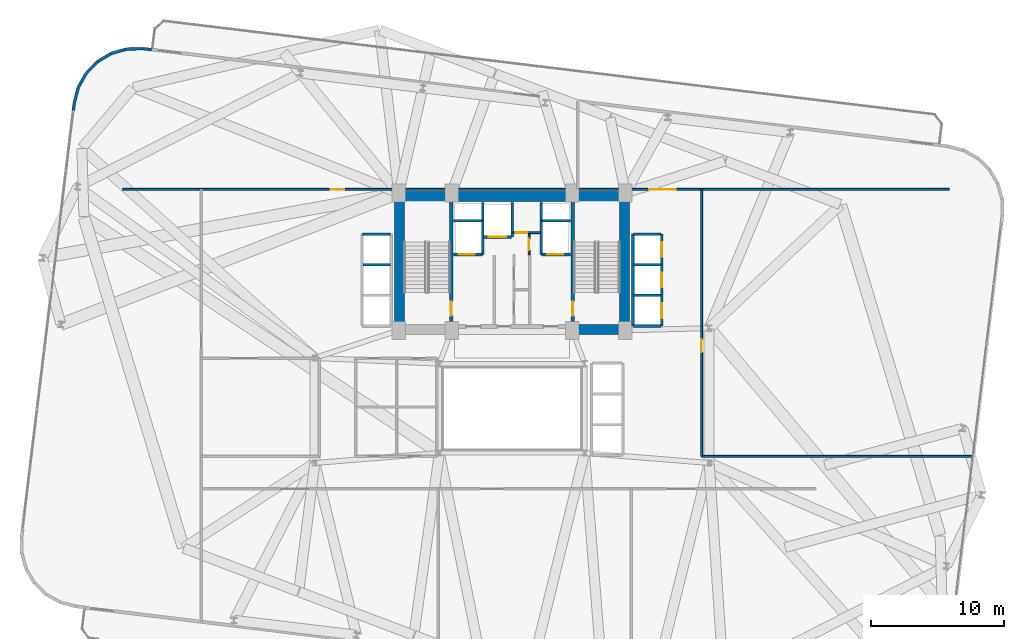
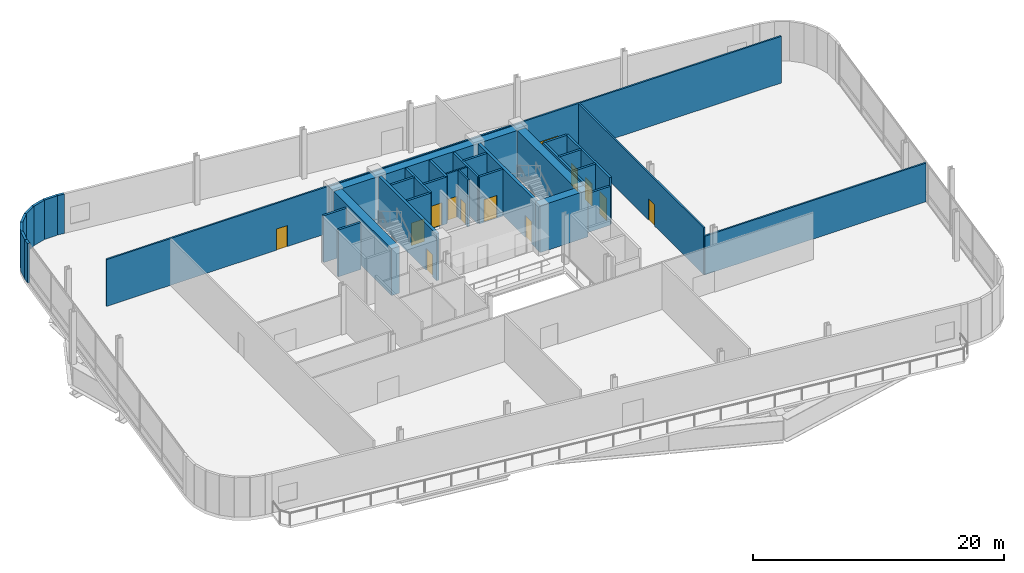
# One storey, part 17 of 22: 35 walls, 13 doors, 13 openings.
"""IFC4 building model written with IfcOpenShell, lengths in metres."""

from ifc_helpers import new_model, si_unit, direction, frame, frame_2d, origin, place, context, subcontext, project, spatial, rectangle, extrude, material, layer, layer_set, type_object, element, fill, save


model = new_model("IFC4")

# Units and contexts
model_context = context("Model", 3, precision=1e-05, world=origin(), true_north=direction((0.0, 1.0)))
body_context = subcontext(model_context, "Body", "Model", "MODEL_VIEW")
ifc_project = project(units=[si_unit("LENGTHUNIT", "METRE"), si_unit("AREAUNIT", "SQUARE_METRE"), si_unit("VOLUMEUNIT", "CUBIC_METRE"), si_unit("PLANEANGLEUNIT", "RADIAN"), si_unit("MASSUNIT", "GRAM", prefix="KILO")], contexts=[model_context])

# Site, building, storey
site_placement = place(None, origin())
site = spatial("IfcSite", under=ifc_project, at=site_placement, CompositionType="ELEMENT")
building_placement = place(site_placement, origin())
building = spatial("IfcBuilding", under=site, at=building_placement, Name="Varnelok Gate Tower", CompositionType="ELEMENT")
storey_placement = place(building_placement, frame((0.0, 0.0, 116.89990234375)))
storey = spatial("IfcBuildingStorey", under=building, at=storey_placement, Name="L29", CompositionType="ELEMENT", Elevation=116.89990234375)

# Walls
ifc_material_1 = material(Name="Concrete C45/55", Category="concrete")
ifc_layer_1 = layer(ifc_material_1, 0.219970703125)
ifc_layer_set_1 = layer_set([ifc_layer_1], Name="Concrete C45/55")
wall_type_1 = type_object("IfcWallType", Name="EW-BALC-220", PredefinedType="SOLIDWALL", material=ifc_layer_set_1)
wall_1_placement = place(storey_placement, frame((12.153564453125, 49.81298828125, 0.0), z_axis=(0.0, 0.0, 1.0), x_axis=(-0.992727811402, 0.120380615004, 0.0)))
element("IfcWall", 1, at=wall_1_placement, inside=storey, type_object=wall_type_1, Name="L29 Perimeter Facade Closure Wall 24", PredefinedType="SOLIDWALL", context=body_context, shape_type="SweptSolid", body=[
    extrude(rectangle(XDim=0.59228515625, YDim=0.219970703125, at=frame_2d((0.296142578125, 0.0))), origin(), (0.0, 0.0, 1.0), 3.830078125),
])
wall_2_placement = place(storey_placement, frame((11.540771484375, 49.884033203125, 0.0), z_axis=(0.0, 0.0, 1.0), x_axis=(-0.999946583274, -0.010335888883, 0.0)))
element("IfcWall", 2, at=wall_2_placement, inside=storey, type_object=wall_type_1, Name="L29 Perimeter Facade Closure Wall 25", PredefinedType="SOLIDWALL", context=body_context, shape_type="SweptSolid", body=[
    extrude(rectangle(XDim=1.20458984375, YDim=0.219970703125, at=frame_2d((0.602294921875, 0.0))), origin(), (0.0, 0.0, 1.0), 3.830078125),
])
for number, where, z_axis, x_axis, name in (
    (3, (10.312255859375, 49.864990234375, 0.0), (0.0, 0.0, 1.0), (-0.963207358968, -0.268759341475, 0.0), "L29 Perimeter Facade Closure Wall 26"),
    (4, (9.13818359375, 49.53076171875, 0.0), (0.0, 0.0, 1.0), (-0.860788363015, -0.508963057695, 0.0), "L29 Perimeter Facade Closure Wall 27"),
):
    element("IfcWall", number, at=place(storey_placement, frame(where, z_axis=z_axis, x_axis=x_axis)), inside=storey, type_object=wall_type_1, Name=name, PredefinedType="SOLIDWALL", context=body_context, shape_type="SweptSolid", body=[
        extrude(rectangle(XDim=1.1962890625, YDim=0.219970703125, at=frame_2d((0.59814453125, 0.0))), origin(), (0.0, 0.0, 1.0), 3.830078125),
    ])
wall_3_placement = place(storey_placement, frame((8.0908203125, 48.904052734375, 0.0), z_axis=(0.0, 0.0, 1.0), x_axis=(-0.699826580501, -0.714312786687, 0.0)))
element("IfcWall", 5, at=wall_3_placement, inside=storey, type_object=wall_type_1, Name="L29 Perimeter Facade Closure Wall 28", PredefinedType="SOLIDWALL", context=body_context, shape_type="SweptSolid", body=[
    extrude(rectangle(XDim=1.196533203125, YDim=0.219970703125, at=frame_2d((0.59814453125, 0.0))), origin(), (0.0, 0.0, 1.0), 3.830078125),
])
wall_4_placement = place(storey_placement, frame((7.2412109375, 48.027587890625, 0.0), z_axis=(0.0, 0.0, 1.0), x_axis=(-0.490987721043, -0.871166492575, 0.0)))
element("IfcWall", 6, at=wall_4_placement, inside=storey, type_object=wall_type_1, Name="L29 Perimeter Facade Closure Wall 29", PredefinedType="SOLIDWALL", context=body_context, shape_type="SweptSolid", body=[
    extrude(rectangle(XDim=1.1962890625, YDim=0.219970703125, at=frame_2d((0.59814453125, 0.0))), origin(), (0.0, 0.0, 1.0), 3.830078125),
])
wall_5_placement = place(storey_placement, frame((6.6474609375, 46.961181640625, 0.0), z_axis=(0.0, 0.0, 1.0), x_axis=(-0.248921525881, -0.968523656889, 0.0)))
element("IfcWall", 7, at=wall_5_placement, inside=storey, type_object=wall_type_1, Name="L29 Perimeter Facade Closure Wall 30", PredefinedType="SOLIDWALL", context=body_context, shape_type="SweptSolid", body=[
    extrude(rectangle(XDim=1.204345703125, YDim=0.219970703125, at=frame_2d((0.60205078125, 0.0))), origin(), (0.0, 0.0, 1.0), 3.830078125),
])
wall_6_placement = place(storey_placement, frame((6.3447265625, 45.769775390625, 0.0), z_axis=(0.0, 0.0, 1.0), x_axis=(-0.120596739231, -0.992701579775, 0.0)))
element("IfcWall", 8, at=wall_6_placement, inside=storey, type_object=wall_type_1, Name="L29 Perimeter Facade Closure Wall 31", PredefinedType="SOLIDWALL", context=body_context, shape_type="SweptSolid", body=[
    extrude(rectangle(XDim=0.576904296875, YDim=0.219970703125, at=frame_2d((0.28857421875, 0.0))), origin(), (0.0, 0.0, 1.0), 3.830078125),
])

# Wall, opening, door
ifc_material_2 = material(Name="Gypsum Plasterboard Acoustic Partition", Category="gypsum")
ifc_layer_2 = layer(ifc_material_2, 0.14990234375)
ifc_layer_set_2 = layer_set([ifc_layer_2], Name="Gypsum Plasterboard Acoustic Partition")
wall_type_2 = type_object("IfcWallType", Name="PW-PART-150", PredefinedType="PARTITIONING", material=ifc_layer_set_2)
wall_7_placement = place(storey_placement, frame((53.419921875, 19.300048828125, 0.0), z_axis=(0.0, 0.0, 1.0), x_axis=(0.0, 1.0, 0.0)))
wall_7 = element("IfcWall", 9, at=wall_7_placement, inside=storey, type_object=wall_type_2, Name="Interior Partition", PredefinedType="PARTITIONING", context=body_context, shape_type="SweptSolid", body=[
    extrude(rectangle(XDim=20.02001953125, YDim=0.14990234375, at=frame_2d((10.010009765625, 0.0))), origin(), (0.0, 0.0, 1.0), 4.550048828125),
])
opening_1_placement = place(wall_7_placement, frame((7.800048828125, 0.0, 0.0)))
opening_1 = element("IfcOpeningElement", 10, at=opening_1_placement, cuts=wall_7, Name="Opening D-I1", PredefinedType="OPENING", context=body_context, shape_type="SweptSolid", body=[
    extrude(rectangle(XDim=1.0, YDim=2.050048828125, at=frame_2d((0.5, 1.02490234375))), frame((0.0, 0.0849609375, 0.0), z_axis=(0.0, -1.0, 0.0), x_axis=(1.0, 0.0, 0.0)), (0.0, 0.0, 1.0), 0.169921875),
])
ifc_material_3 = material(Name="Engineered Hardwood Timber", Category="wood")
door_type_1 = type_object("IfcDoorType", Name="DR-INT-1000", OperationType="NOTDEFINED", PredefinedType="DOOR", material=ifc_material_3)
door_1_placement = place(opening_1_placement, origin())
door_1 = element("IfcDoor", 11, at=door_1_placement, inside=storey, type_object=door_type_1, Name="L29 Business Center Door", OperationType="SINGLE_SWING_RIGHT", OverallHeight=2.050048828125, OverallWidth=1.0, PredefinedType="DOOR", context=body_context, shape_type="SweptSolid", body=[
    extrude(rectangle(XDim=1.0, YDim=2.050048828125, at=frame_2d((0.5, 1.02490234375))), frame((0.0, 0.02490234375, 0.0), z_axis=(0.0, -1.0, 0.0), x_axis=(1.0, 0.0, 0.0)), (0.0, 0.0, 1.0), 0.050048828125),
])
fill(opening_1, door_1)

# Wall
wall_8_placement = place(storey_placement, frame((53.419921875, 19.300048828125, 0.0), z_axis=(0.0, 0.0, 1.0), x_axis=(1.0, 0.0, 0.0)))
element("IfcWall", 12, at=wall_8_placement, inside=storey, type_object=wall_type_2, Name="Interior Partition", PredefinedType="PARTITIONING", context=body_context, shape_type="SweptSolid", body=[
    extrude(rectangle(XDim=20.329345703125, YDim=0.14990234375, at=frame_2d((10.16455078125, 0.0))), origin(), (0.0, 0.0, 1.0), 3.76220703125),
])

# Wall, openings, doors
wall_9_placement = place(storey_placement, frame((10.0, 39.320068359375, 0.0), z_axis=(0.0, 0.0, 1.0), x_axis=(1.0, 0.0, 0.0)))
wall_9 = element("IfcWall", 13, at=wall_9_placement, inside=storey, type_object=wall_type_2, Name="Interior Partition", PredefinedType="PARTITIONING", context=body_context, shape_type="SweptSolid", body=[
    extrude(rectangle(XDim=62.0, YDim=0.14990234375, at=frame_2d((31.0, 0.0))), origin(), (0.0, 0.0, 1.0), 4.550048828125),
])
opening_2_placement = place(wall_9_placement, frame((15.60009765625, 0.0, 0.0)))
opening_2 = element("IfcOpeningElement", 14, at=opening_2_placement, cuts=wall_9, Name="Opening D-I1", PredefinedType="OPENING", context=body_context, shape_type="SweptSolid", body=[
    extrude(rectangle(XDim=1.0, YDim=2.050048828125, at=frame_2d((0.5, 1.02490234375))), frame((0.0, 0.0849609375, 0.0), z_axis=(0.0, -1.0, 0.0), x_axis=(1.0, 0.0, 0.0)), (0.0, 0.0, 1.0), 0.169921875),
])
opening_3_placement = place(wall_9_placement, frame((39.5, 0.0, 0.0)))
opening_3 = element("IfcOpeningElement", 15, at=opening_3_placement, cuts=wall_9, Name="Opening D-BL", PredefinedType="OPENING", context=body_context, shape_type="SweptSolid", body=[
    extrude(rectangle(XDim=2.0, YDim=2.050048828125, at=frame_2d((1.0, 1.02490234375))), frame((0.0, 0.0849609375, 0.0), z_axis=(0.0, -1.0, 0.0), x_axis=(1.0, 0.0, 0.0)), (0.0, 0.0, 1.0), 0.169921875),
])
door_type_2 = type_object("IfcDoorType", Name="DR-BALL-2000", OperationType="DOUBLE_DOOR_SINGLE_SWING", PredefinedType="DOOR", material=ifc_material_3)
door_2_placement = place(opening_3_placement, origin())
door_2 = element("IfcDoor", 16, at=door_2_placement, inside=storey, type_object=door_type_2, Name="L29 Exhibition Gallery Door", OperationType="DOUBLE_DOOR_SINGLE_SWING", OverallHeight=2.050048828125, OverallWidth=2.0, PredefinedType="DOOR", context=body_context, shape_type="SweptSolid", body=[
    extrude(rectangle(XDim=2.0, YDim=2.050048828125, at=frame_2d((1.0, 1.02490234375))), frame((0.0, 0.02490234375, 0.0), z_axis=(0.0, -1.0, 0.0), x_axis=(1.0, 0.0, 0.0)), (0.0, 0.0, 1.0), 0.050048828125),
])
fill(opening_3, door_2)
door_3_placement = place(opening_2_placement, origin())
door_3 = element("IfcDoor", 17, at=door_3_placement, inside=storey, type_object=door_type_1, Name="L29 Sky Library Door", OperationType="SINGLE_SWING_LEFT", OverallHeight=2.050048828125, OverallWidth=1.0, PredefinedType="DOOR", context=body_context, shape_type="SweptSolid", body=[
    extrude(rectangle(XDim=1.0, YDim=2.050048828125, at=frame_2d((0.5, 1.02490234375))), frame((0.0, 0.02490234375, 0.0), z_axis=(0.0, -1.0, 0.0), x_axis=(1.0, 0.0, 0.0)), (0.0, 0.0, 1.0), 0.050048828125),
])
fill(opening_2, door_3)

# Wall, opening, door
wall_10_placement = place(storey_placement, frame((39.300048828125, 36.080078125, 0.0), z_axis=(0.0, 0.0, 1.0), x_axis=(1.0, 0.0, 0.0)))
wall_10 = element("IfcWall", 18, at=wall_10_placement, inside=storey, type_object=wall_type_2, Name="L29 Electrical Closet South Wall", PredefinedType="PARTITIONING", context=body_context, shape_type="SweptSolid", body=[
    extrude(rectangle(XDim=2.02001953125, YDim=0.14990234375, at=frame_2d((1.010009765625, 0.0))), origin(), (0.0, 0.0, 1.0), 4.550048828125),
])
opening_4_placement = place(wall_10_placement, frame((0.179931640625, 0.0, 0.0)))
opening_4 = element("IfcOpeningElement", 19, at=opening_4_placement, cuts=wall_10, Name="Opening D-RS", PredefinedType="OPENING", context=body_context, shape_type="SweptSolid", body=[
    extrude(rectangle(XDim=0.85009765625, YDim=2.050048828125, at=frame_2d((0.425048828125, 1.02490234375))), frame((0.0, 0.0849609375, 0.0), z_axis=(0.0, -1.0, 0.0), x_axis=(1.0, 0.0, 0.0)), (0.0, 0.0, 1.0), 0.169921875),
])
ifc_material_4 = material(Name="Galvanized Steel Grade S350GD", Category="steel")
door_type_3 = type_object("IfcDoorType", Name="DR-RISER-850", OperationType="NOTDEFINED", PredefinedType="DOOR", material=ifc_material_4)
door_4_placement = place(opening_4_placement, origin())
door_4 = element("IfcDoor", 20, at=door_4_placement, inside=storey, type_object=door_type_3, Name="L29 Electrical Closet Door", OperationType="SINGLE_SWING_RIGHT", OverallHeight=2.050048828125, OverallWidth=0.85009765625, PredefinedType="DOOR", context=body_context, shape_type="SweptSolid", body=[
    extrude(rectangle(XDim=0.85009765625, YDim=2.050048828125, at=frame_2d((0.425048828125, 1.02490234375))), frame((0.0, 0.02490234375, 0.0), z_axis=(0.0, -1.0, 0.0), x_axis=(1.0, 0.0, 0.0)), (0.0, 0.0, 1.0), 0.050048828125),
])
fill(opening_4, door_4)

wall_11_placement = place(storey_placement, frame((40.47998046875, 34.43994140625, 0.0), z_axis=(0.0, 0.0, 1.0), x_axis=(0.0, 1.0, 0.0)))
wall_11 = element("IfcWall", 21, at=wall_11_placement, inside=storey, type_object=wall_type_2, Name="L29 Telecoms Closet West Wall", PredefinedType="PARTITIONING", context=body_context, shape_type="SweptSolid", body=[
    extrude(rectangle(XDim=1.52001953125, YDim=0.14990234375, at=frame_2d((0.760009765625, 0.0))), origin(), (0.0, 0.0, 1.0), 4.550048828125),
])
opening_5_placement = place(wall_11_placement, frame((0.320068359375, 0.0, 0.0)))
opening_5 = element("IfcOpeningElement", 22, at=opening_5_placement, cuts=wall_11, Name="Opening D-RS", PredefinedType="OPENING", context=body_context, shape_type="SweptSolid", body=[
    extrude(rectangle(XDim=0.85009765625, YDim=2.050048828125, at=frame_2d((0.425048828125, 1.02490234375))), frame((0.0, 0.0849609375, 0.0), z_axis=(0.0, -1.0, 0.0), x_axis=(1.0, 0.0, 0.0)), (0.0, 0.0, 1.0), 0.169921875),
])
door_5_placement = place(opening_5_placement, origin())
door_5 = element("IfcDoor", 23, at=door_5_placement, inside=storey, type_object=door_type_3, Name="L29 Telecoms Closet Door", OperationType="SINGLE_SWING_LEFT", OverallHeight=2.050048828125, OverallWidth=0.85009765625, PredefinedType="DOOR", context=body_context, shape_type="SweptSolid", body=[
    extrude(rectangle(XDim=0.85009765625, YDim=2.050048828125, at=frame_2d((0.425048828125, 1.02490234375))), frame((0.0, 0.02490234375, 0.0), z_axis=(0.0, -1.0, 0.0), x_axis=(1.0, 0.0, 0.0)), (0.0, 0.0, 1.0), 0.050048828125),
])
fill(opening_5, door_5)

ifc_material_5 = material(Name="Concrete C35/45", Category="concrete")
ifc_layer_3 = layer(ifc_material_5, 0.199951171875)
ifc_layer_set_3 = layer_set([ifc_layer_3], Name="Concrete C35/45")
wall_type_3 = type_object("IfcWallType", Name="PW-SHAFT-200", PredefinedType="PARTITIONING", material=ifc_layer_set_3)
wall_12_placement = place(storey_placement, frame((34.800048828125, 34.43994140625, 0.0), z_axis=(0.0, 0.0, 1.0), x_axis=(1.0, 0.0, 0.0)))
wall_12 = element("IfcWall", 24, at=wall_12_placement, inside=storey, type_object=wall_type_3, Name="L29 FF1 Shaft Front Wall", PredefinedType="PARTITIONING", context=body_context, shape_type="SweptSolid", body=[
    extrude(rectangle(XDim=2.179931640625, YDim=0.199951171875, at=frame_2d((1.08984375, 0.0))), origin(), (0.0, 0.0, 1.0), 4.550048828125),
])
opening_6_placement = place(wall_12_placement, frame((0.419921875, 0.0, 0.0)))
opening_6 = element("IfcOpeningElement", 25, at=opening_6_placement, cuts=wall_12, Name="Opening LD-FF1", PredefinedType="OPENING", context=body_context, shape_type="SweptSolid", body=[
    extrude(rectangle(XDim=1.199951171875, YDim=2.199951171875, at=frame_2d((0.60009765625, 1.10009765625))), frame((0.0, 0.10986328125, 0.0), z_axis=(0.0, -1.0, 0.0), x_axis=(1.0, 0.0, 0.0)), (0.0, 0.0, 1.0), 0.219970703125),
])
door_type_4 = type_object("IfcDoorType", Name="DR-LIFT-FF1200", OperationType="SLIDING_TO_LEFT", PredefinedType="DOOR", material=ifc_material_4)
door_6_placement = place(opening_6_placement, origin())
door_6 = element("IfcDoor", 26, at=door_6_placement, inside=storey, type_object=door_type_4, Name="L29 Firefighting Lift Landing Door LD-FF1", OperationType="SLIDING_TO_LEFT", OverallHeight=2.199951171875, OverallWidth=1.199951171875, PredefinedType="DOOR", context=body_context, shape_type="SweptSolid", body=[
    extrude(rectangle(XDim=1.199951171875, YDim=2.199951171875, at=frame_2d((0.60009765625, 1.10009765625))), frame((0.0, 0.02490234375, 0.0), z_axis=(0.0, -1.0, 0.0), x_axis=(1.0, 0.0, 0.0)), (0.0, 0.0, 1.0), 0.050048828125),
])
fill(opening_6, door_6)

# Walls
wall_13_placement = place(storey_placement, frame((34.800048828125, 36.97998046875, 0.0), z_axis=(0.0, 0.0, 1.0), x_axis=(1.0, 0.0, 0.0)))
element("IfcWall", 27, at=wall_13_placement, inside=storey, type_object=wall_type_3, Name="L29 FF1 Shaft North Wall", PredefinedType="PARTITIONING", context=body_context, shape_type="SweptSolid", body=[
    extrude(rectangle(XDim=2.179931640625, YDim=0.199951171875, at=frame_2d((1.08984375, 0.0))), origin(), (0.0, 0.0, 1.0), 4.550048828125),
])
wall_14_placement = place(storey_placement, frame((37.0, 34.43994140625, 0.0), z_axis=(0.0, 0.0, 1.0), x_axis=(0.0, 1.0, 0.0)))
element("IfcWall", 28, at=wall_14_placement, inside=storey, type_object=wall_type_3, Name="L29 FF1 Shaft Side Wall", PredefinedType="PARTITIONING", context=body_context, shape_type="SweptSolid", body=[
    extrude(rectangle(XDim=3.900146484375, YDim=0.199951171875, at=frame_2d((1.9501953125, 0.0))), origin(), (0.0, 0.0, 1.0), 4.550048828125),
])

# Wall, opening, door
wall_15_placement = place(storey_placement, frame((41.419921875, 34.43994140625, 0.0), z_axis=(0.0, 0.0, 1.0), x_axis=(1.0, 0.0, 0.0)))
wall_15 = element("IfcWall", 29, at=wall_15_placement, inside=storey, type_object=wall_type_3, Name="L29 FF2 Shaft Front Wall", PredefinedType="PARTITIONING", context=body_context, shape_type="SweptSolid", body=[
    extrude(rectangle(XDim=2.18017578125, YDim=0.199951171875, at=frame_2d((1.090087890625, 0.0))), origin(), (0.0, 0.0, 1.0), 4.550048828125),
])
opening_7_placement = place(wall_15_placement, frame((0.419921875, 0.0, 0.0)))
opening_7 = element("IfcOpeningElement", 30, at=opening_7_placement, cuts=wall_15, Name="Opening LD-FF2", PredefinedType="OPENING", context=body_context, shape_type="SweptSolid", body=[
    extrude(rectangle(XDim=1.199951171875, YDim=2.199951171875, at=frame_2d((0.60009765625, 1.10009765625))), frame((0.0, 0.10986328125, 0.0), z_axis=(0.0, -1.0, 0.0), x_axis=(1.0, 0.0, 0.0)), (0.0, 0.0, 1.0), 0.219970703125),
])
door_7_placement = place(opening_7_placement, origin())
door_7 = element("IfcDoor", 31, at=door_7_placement, inside=storey, type_object=door_type_4, Name="L29 Firefighting Lift Landing Door LD-FF2", OperationType="SLIDING_TO_LEFT", OverallHeight=2.199951171875, OverallWidth=1.199951171875, PredefinedType="DOOR", context=body_context, shape_type="SweptSolid", body=[
    extrude(rectangle(XDim=1.199951171875, YDim=2.199951171875, at=frame_2d((0.60009765625, 1.10009765625))), frame((0.0, 0.02490234375, 0.0), z_axis=(0.0, -1.0, 0.0), x_axis=(1.0, 0.0, 0.0)), (0.0, 0.0, 1.0), 0.050048828125),
])
fill(opening_7, door_7)

# Walls
wall_16_placement = place(storey_placement, frame((41.419921875, 36.97998046875, 0.0), z_axis=(0.0, 0.0, 1.0), x_axis=(1.0, 0.0, 0.0)))
element("IfcWall", 32, at=wall_16_placement, inside=storey, type_object=wall_type_3, Name="L29 FF2 Shaft North Wall", PredefinedType="PARTITIONING", context=body_context, shape_type="SweptSolid", body=[
    extrude(rectangle(XDim=2.18017578125, YDim=0.199951171875, at=frame_2d((1.090087890625, 0.0))), origin(), (0.0, 0.0, 1.0), 4.550048828125),
])
wall_17_placement = place(storey_placement, frame((41.39990234375, 34.43994140625, 0.0), z_axis=(0.0, 0.0, 1.0), x_axis=(0.0, 1.0, 0.0)))
element("IfcWall", 33, at=wall_17_placement, inside=storey, type_object=wall_type_3, Name="L29 FF2 Shaft Side Wall", PredefinedType="PARTITIONING", context=body_context, shape_type="SweptSolid", body=[
    extrude(rectangle(XDim=3.900146484375, YDim=0.199951171875, at=frame_2d((1.9501953125, 0.0))), origin(), (0.0, 0.0, 1.0), 4.550048828125),
])

# Wall, opening, door
wall_18_placement = place(storey_placement, frame((37.06005859375, 35.75, 0.0), z_axis=(0.0, 0.0, 1.0), x_axis=(1.0, 0.0, 0.0)))
wall_18 = element("IfcWall", 34, at=wall_18_placement, inside=storey, type_object=wall_type_3, Name="L29 SV1 Shaft Front Wall", PredefinedType="PARTITIONING", context=body_context, shape_type="SweptSolid", body=[
    extrude(rectangle(XDim=2.119873046875, YDim=0.199951171875, at=frame_2d((1.06005859375, 0.0))), origin(), (0.0, 0.0, 1.0), 4.550048828125),
])
opening_8_placement = place(wall_18_placement, frame((0.39990234375, 0.0, 0.0)))
opening_8 = element("IfcOpeningElement", 35, at=opening_8_placement, cuts=wall_18, Name="Opening LD-SV1", PredefinedType="OPENING", context=body_context, shape_type="SweptSolid", body=[
    extrude(rectangle(XDim=1.300048828125, YDim=2.199951171875, at=frame_2d((0.64990234375, 1.10009765625))), frame((0.0, 0.10986328125, 0.0), z_axis=(0.0, -1.0, 0.0), x_axis=(1.0, 0.0, 0.0)), (0.0, 0.0, 1.0), 0.219970703125),
])
door_type_5 = type_object("IfcDoorType", Name="DR-LIFT-SV1300", OperationType="SLIDING_TO_LEFT", PredefinedType="DOOR", material=ifc_material_4)
door_8_placement = place(opening_8_placement, origin())
door_8 = element("IfcDoor", 36, at=door_8_placement, inside=storey, type_object=door_type_5, Name="L29 Service Lift Landing Door LD-SV1", OperationType="SLIDING_TO_LEFT", OverallHeight=2.199951171875, OverallWidth=1.300048828125, PredefinedType="DOOR", context=body_context, shape_type="SweptSolid", body=[
    extrude(rectangle(XDim=1.300048828125, YDim=2.199951171875, at=frame_2d((0.64990234375, 1.10009765625))), frame((0.0, 0.02490234375, 0.0), z_axis=(0.0, -1.0, 0.0), x_axis=(1.0, 0.0, 0.0)), (0.0, 0.0, 1.0), 0.050048828125),
])
fill(opening_8, door_8)

# Walls
wall_19_placement = place(storey_placement, frame((39.219970703125, 35.75, 0.0), z_axis=(0.0, 0.0, 1.0), x_axis=(0.0, 1.0, 0.0)))
element("IfcWall", 37, at=wall_19_placement, inside=storey, type_object=wall_type_3, Name="L29 SV1 Shaft East Wall", PredefinedType="PARTITIONING", context=body_context, shape_type="SweptSolid", body=[
    extrude(rectangle(XDim=2.590087890625, YDim=0.199951171875, at=frame_2d((1.294921875, 0.0))), origin(), (0.0, 0.0, 1.0), 4.550048828125),
])
wall_20_placement = place(storey_placement, frame((28.02001953125, 33.675048828125, 0.0), z_axis=(0.0, 0.0, 1.0), x_axis=(1.0, 0.0, 0.0)))
element("IfcWall", 38, at=wall_20_placement, inside=storey, type_object=wall_type_3, Name="L29 PL2 Divider", PredefinedType="PARTITIONING", context=body_context, shape_type="SweptSolid", body=[
    extrude(rectangle(XDim=2.06005859375, YDim=0.199951171875, at=frame_2d((1.030029296875, 0.0))), origin(), (0.0, 0.0, 1.0), 4.550048828125),
])
wall_21_placement = place(storey_placement, frame((28.0, 35.969970703125, 0.0), z_axis=(0.0, 0.0, 1.0), x_axis=(1.0, 0.0, 0.0)))
element("IfcWall", 39, at=wall_21_placement, inside=storey, type_object=wall_type_3, Name="L29 PL Bank North Wall", PredefinedType="PARTITIONING", context=body_context, shape_type="SweptSolid", body=[
    extrude(rectangle(XDim=2.10009765625, YDim=0.199951171875, at=frame_2d((1.050048828125, 0.0))), origin(), (0.0, 0.0, 1.0), 4.550048828125),
])
for number, where, z_axis, x_axis, name in (
    (40, (48.320068359375, 31.375, 0.0), (0.0, 0.0, 1.0), (1.0, 0.0, 0.0), "L29 PM1 Divider"),
    (41, (48.320068359375, 33.675048828125, 0.0), (0.0, 0.0, 1.0), (1.0, 0.0, 0.0), "L29 PM2 Divider"),
):
    element("IfcWall", number, at=place(storey_placement, frame(where, z_axis=z_axis, x_axis=x_axis)), inside=storey, type_object=wall_type_3, Name=name, PredefinedType="PARTITIONING", context=body_context, shape_type="SweptSolid", body=[
        extrude(rectangle(XDim=2.059814453125, YDim=0.199951171875, at=frame_2d((1.02978515625, 0.0))), origin(), (0.0, 0.0, 1.0), 4.550048828125),
    ])
wall_22_placement = place(storey_placement, frame((48.320068359375, 29.080078125, 0.0), z_axis=(0.0, 0.0, 1.0), x_axis=(1.0, 0.0, 0.0)))
element("IfcWall", 42, at=wall_22_placement, inside=storey, type_object=wall_type_3, Name="L29 PM Bank South Wall", PredefinedType="PARTITIONING", context=body_context, shape_type="SweptSolid", body=[
    extrude(rectangle(XDim=2.059814453125, YDim=0.199951171875, at=frame_2d((1.02978515625, 0.0))), origin(), (0.0, 0.0, 1.0), 3.76220703125),
])
wall_23_placement = place(storey_placement, frame((48.320068359375, 35.969970703125, 0.0), z_axis=(0.0, 0.0, 1.0), x_axis=(1.0, 0.0, 0.0)))
element("IfcWall", 43, at=wall_23_placement, inside=storey, type_object=wall_type_3, Name="L29 PM Bank North Wall", PredefinedType="PARTITIONING", context=body_context, shape_type="SweptSolid", body=[
    extrude(rectangle(XDim=2.059814453125, YDim=0.199951171875, at=frame_2d((1.02978515625, 0.0))), origin(), (0.0, 0.0, 1.0), 4.550048828125),
])
wall_24_placement = place(storey_placement, frame((48.280029296875, 29.080078125, 0.0), z_axis=(0.0, 0.0, 1.0), x_axis=(0.0, 1.0, 0.0)))
element("IfcWall", 44, at=wall_24_placement, inside=storey, type_object=wall_type_3, Name="L29 PM Bank Back Wall", PredefinedType="PARTITIONING", context=body_context, shape_type="SweptSolid", body=[
    extrude(rectangle(XDim=6.889892578125, YDim=0.199951171875, at=frame_2d((3.44482421875, 0.0))), origin(), (0.0, 0.0, 1.0), 4.550048828125),
])

# Wall, openings, doors
wall_25_placement = place(storey_placement, frame((50.43994140625, 29.080078125, 0.0), z_axis=(0.0, 0.0, 1.0), x_axis=(0.0, 1.0, 0.0)))
wall_25 = element("IfcWall", 45, at=wall_25_placement, inside=storey, type_object=wall_type_3, Name="L29 PM Bank Front Wall", PredefinedType="PARTITIONING", context=body_context, shape_type="SweptSolid", body=[
    extrude(rectangle(XDim=6.889892578125, YDim=0.199951171875, at=frame_2d((3.44482421875, 0.0))), origin(), (0.0, 0.0, 1.0), 4.550048828125),
])
opening_9_placement = place(wall_25_placement, frame((0.590087890625, 0.0, 0.0)))
opening_9 = element("IfcOpeningElement", 46, at=opening_9_placement, cuts=wall_25, Name="Opening LD-PM1", PredefinedType="OPENING", context=body_context, shape_type="SweptSolid", body=[
    extrude(rectangle(XDim=1.10009765625, YDim=2.14990234375, at=frame_2d((0.550048828125, 1.074951171875))), frame((0.0, 0.10986328125, 0.0), z_axis=(0.0, -1.0, 0.0), x_axis=(1.0, 0.0, 0.0)), (0.0, 0.0, 1.0), 0.219970703125),
])
opening_10_placement = place(wall_25_placement, frame((2.889892578125, 0.0, 0.0)))
opening_10 = element("IfcOpeningElement", 47, at=opening_10_placement, cuts=wall_25, Name="Opening LD-PM2", PredefinedType="OPENING", context=body_context, shape_type="SweptSolid", body=[
    extrude(rectangle(XDim=1.10009765625, YDim=2.14990234375, at=frame_2d((0.550048828125, 1.074951171875))), frame((0.0, 0.10986328125, 0.0), z_axis=(0.0, -1.0, 0.0), x_axis=(1.0, 0.0, 0.0)), (0.0, 0.0, 1.0), 0.219970703125),
])
opening_11_placement = place(wall_25_placement, frame((5.18994140625, 0.0, 0.0)))
opening_11 = element("IfcOpeningElement", 48, at=opening_11_placement, cuts=wall_25, Name="Opening LD-PM3", PredefinedType="OPENING", context=body_context, shape_type="SweptSolid", body=[
    extrude(rectangle(XDim=1.10009765625, YDim=2.14990234375, at=frame_2d((0.550048828125, 1.074951171875))), frame((0.0, 0.10986328125, 0.0), z_axis=(0.0, -1.0, 0.0), x_axis=(1.0, 0.0, 0.0)), (0.0, 0.0, 1.0), 0.219970703125),
])
door_type_6 = type_object("IfcDoorType", Name="DR-LIFT-PAX1100", OperationType="SLIDING_TO_LEFT", PredefinedType="DOOR", material=ifc_material_4)
door_9_placement = place(opening_9_placement, origin())
door_9 = element("IfcDoor", 49, at=door_9_placement, inside=storey, type_object=door_type_6, Name="L29 Passenger Lift Landing Door LD-PM1", OperationType="SLIDING_TO_LEFT", OverallHeight=2.14990234375, OverallWidth=1.10009765625, PredefinedType="DOOR", context=body_context, shape_type="SweptSolid", body=[
    extrude(rectangle(XDim=1.10009765625, YDim=2.14990234375, at=frame_2d((0.550048828125, 1.074951171875))), frame((0.0, 0.02490234375, 0.0), z_axis=(0.0, -1.0, 0.0), x_axis=(1.0, 0.0, 0.0)), (0.0, 0.0, 1.0), 0.050048828125),
])
fill(opening_9, door_9)
door_10_placement = place(opening_10_placement, origin())
door_10 = element("IfcDoor", 50, at=door_10_placement, inside=storey, type_object=door_type_6, Name="L29 Passenger Lift Landing Door LD-PM2", OperationType="SLIDING_TO_LEFT", OverallHeight=2.14990234375, OverallWidth=1.10009765625, PredefinedType="DOOR", context=body_context, shape_type="SweptSolid", body=[
    extrude(rectangle(XDim=1.10009765625, YDim=2.14990234375, at=frame_2d((0.550048828125, 1.074951171875))), frame((0.0, 0.02490234375, 0.0), z_axis=(0.0, -1.0, 0.0), x_axis=(1.0, 0.0, 0.0)), (0.0, 0.0, 1.0), 0.050048828125),
])
fill(opening_10, door_10)
door_11_placement = place(opening_11_placement, origin())
door_11 = element("IfcDoor", 51, at=door_11_placement, inside=storey, type_object=door_type_6, Name="L29 Passenger Lift Landing Door LD-PM3", OperationType="SLIDING_TO_LEFT", OverallHeight=2.14990234375, OverallWidth=1.10009765625, PredefinedType="DOOR", context=body_context, shape_type="SweptSolid", body=[
    extrude(rectangle(XDim=1.10009765625, YDim=2.14990234375, at=frame_2d((0.550048828125, 1.074951171875))), frame((0.0, 0.02490234375, 0.0), z_axis=(0.0, -1.0, 0.0), x_axis=(1.0, 0.0, 0.0)), (0.0, 0.0, 1.0), 0.050048828125),
])
fill(opening_11, door_11)

# Walls
ifc_material_6 = material(Name="Concrete C70/85", Category="concrete")
ifc_layer_4 = layer(ifc_material_6, 0.75)
ifc_layer_set_4 = layer_set([ifc_layer_4], Name="Concrete C70/85")
wall_type_4 = type_object("IfcWallType", Name="SW-CORE-750", PredefinedType="SHEAR", material=ifc_layer_set_4)
wall_26_placement = place(storey_placement, frame((30.3798828125, 38.794921875, 0.0), z_axis=(0.0, 0.0, 1.0), x_axis=(1.0, 0.0, 0.0)))
element("IfcWall", 52, at=wall_26_placement, inside=storey, type_object=wall_type_4, Name="L29 Rear Core North Shear Wall", PredefinedType="SHEAR", context=body_context, shape_type="SweptSolid", body=[
    extrude(rectangle(XDim=17.64013671875, YDim=0.75, at=frame_2d((8.820068359375, 0.0))), origin(), (0.0, 0.0, 1.0), 4.550048828125),
])
for number, where, z_axis, x_axis, name in (
    (53, (30.7548828125, 29.199951171875, 0.0), (0.0, 0.0, 1.0), (0.0, 1.0, 0.0), "L29 Rear Core West Shear Wall"),
    (54, (47.64501953125, 29.199951171875, 0.0), (0.0, 0.0, 1.0), (0.0, 1.0, 0.0), "L29 Rear Core East Shear Wall"),
):
    element("IfcWall", number, at=place(storey_placement, frame(where, z_axis=z_axis, x_axis=x_axis)), inside=storey, type_object=wall_type_4, Name=name, PredefinedType="SHEAR", context=body_context, shape_type="SweptSolid", body=[
        extrude(rectangle(XDim=9.219970703125, YDim=0.75, at=frame_2d((4.60986328125, 0.0))), origin(), (0.0, 0.0, 1.0), 4.550048828125),
    ])
wall_27_placement = place(storey_placement, frame((43.60009765625, 28.824951171875, 0.0), z_axis=(0.0, 0.0, 1.0), x_axis=(1.0, 0.0, 0.0)))
element("IfcWall", 55, at=wall_27_placement, inside=storey, type_object=wall_type_4, Name="L29 Rear Core South-East Shear Wall", PredefinedType="SHEAR", context=body_context, shape_type="SweptSolid", body=[
    extrude(rectangle(XDim=4.419921875, YDim=0.75, at=frame_2d((2.2099609375, 0.0))), origin(), (0.0, 0.0, 1.0), 4.550048828125),
])

# Wall, opening, door
ifc_material_7 = material(Name="Concrete C60/75", Category="concrete")
ifc_layer_5 = layer(ifc_material_7, 0.25)
ifc_layer_set_5 = layer_set([ifc_layer_5], Name="Concrete C60/75")
wall_type_5 = type_object("IfcWallType", Name="SW-SHAFT-250", PredefinedType="SHEAR", material=ifc_layer_set_5)
wall_28_placement = place(storey_placement, frame((34.639892578125, 29.199951171875, 0.0), z_axis=(0.0, 0.0, 1.0), x_axis=(0.0, 1.0, 0.0)))
wall_28 = element("IfcWall", 56, at=wall_28_placement, inside=storey, type_object=wall_type_5, Name="L29 Stair ST-1 East Shear Wall", PredefinedType="SHEAR", context=body_context, shape_type="SweptSolid", body=[
    extrude(rectangle(XDim=9.219970703125, YDim=0.25, at=frame_2d((4.60986328125, 0.0))), origin(), (0.0, 0.0, 1.0), 4.550048828125),
])
opening_12_placement = place(wall_28_placement, frame((0.64990234375, 0.0, 0.0)))
opening_12 = element("IfcOpeningElement", 57, at=opening_12_placement, cuts=wall_28, Name="Opening D-ST", PredefinedType="OPENING", context=body_context, shape_type="SweptSolid", body=[
    extrude(rectangle(XDim=1.050048828125, YDim=2.14990234375, at=frame_2d((0.52490234375, 1.074951171875))), frame((0.0, 0.135009765625, 0.0), z_axis=(0.0, -1.0, 0.0), x_axis=(1.0, 0.0, 0.0)), (0.0, 0.0, 1.0), 0.27001953125),
])
door_type_7 = type_object("IfcDoorType", Name="DR-STAIR-1050", OperationType="NOTDEFINED", PredefinedType="DOOR", material=ifc_material_4)
door_12_placement = place(opening_12_placement, origin())
door_12 = element("IfcDoor", 58, at=door_12_placement, inside=storey, type_object=door_type_7, Name="L29 Exit Stair ST-1 Fire Door", OperationType="SINGLE_SWING_LEFT", OverallHeight=2.14990234375, OverallWidth=1.050048828125, PredefinedType="DOOR", context=body_context, shape_type="SweptSolid", body=[
    extrude(rectangle(XDim=1.050048828125, YDim=2.14990234375, at=frame_2d((0.52490234375, 1.074951171875))), frame((0.0, 0.02490234375, 0.0), z_axis=(0.0, -1.0, 0.0), x_axis=(1.0, 0.0, 0.0)), (0.0, 0.0, 1.0), 0.050048828125),
])
fill(opening_12, door_12)

wall_29_placement = place(storey_placement, frame((43.760009765625, 29.199951171875, 0.0), z_axis=(0.0, 0.0, 1.0), x_axis=(0.0, 1.0, 0.0)))
wall_29 = element("IfcWall", 59, at=wall_29_placement, inside=storey, type_object=wall_type_5, Name="L29 Stair ST-2 West Shear Wall", PredefinedType="SHEAR", context=body_context, shape_type="SweptSolid", body=[
    extrude(rectangle(XDim=9.219970703125, YDim=0.25, at=frame_2d((4.60986328125, 0.0))), origin(), (0.0, 0.0, 1.0), 4.550048828125),
])
opening_13_placement = place(wall_29_placement, frame((0.64990234375, 0.0, 0.0)))
opening_13 = element("IfcOpeningElement", 60, at=opening_13_placement, cuts=wall_29, Name="Opening D-ST", PredefinedType="OPENING", context=body_context, shape_type="SweptSolid", body=[
    extrude(rectangle(XDim=1.050048828125, YDim=2.14990234375, at=frame_2d((0.52490234375, 1.074951171875))), frame((0.0, 0.135009765625, 0.0), z_axis=(0.0, -1.0, 0.0), x_axis=(1.0, 0.0, 0.0)), (0.0, 0.0, 1.0), 0.27001953125),
])
door_13_placement = place(opening_13_placement, origin())
door_13 = element("IfcDoor", 61, at=door_13_placement, inside=storey, type_object=door_type_7, Name="L29 Exit Stair ST-2 Fire Door", OperationType="SINGLE_SWING_RIGHT", OverallHeight=2.14990234375, OverallWidth=1.050048828125, PredefinedType="DOOR", context=body_context, shape_type="SweptSolid", body=[
    extrude(rectangle(XDim=1.050048828125, YDim=2.14990234375, at=frame_2d((0.52490234375, 1.074951171875))), frame((0.0, 0.02490234375, 0.0), z_axis=(0.0, -1.0, 0.0), x_axis=(1.0, 0.0, 0.0)), (0.0, 0.0, 1.0), 0.050048828125),
])
fill(opening_13, door_13)

save(model, "model.ifc")
